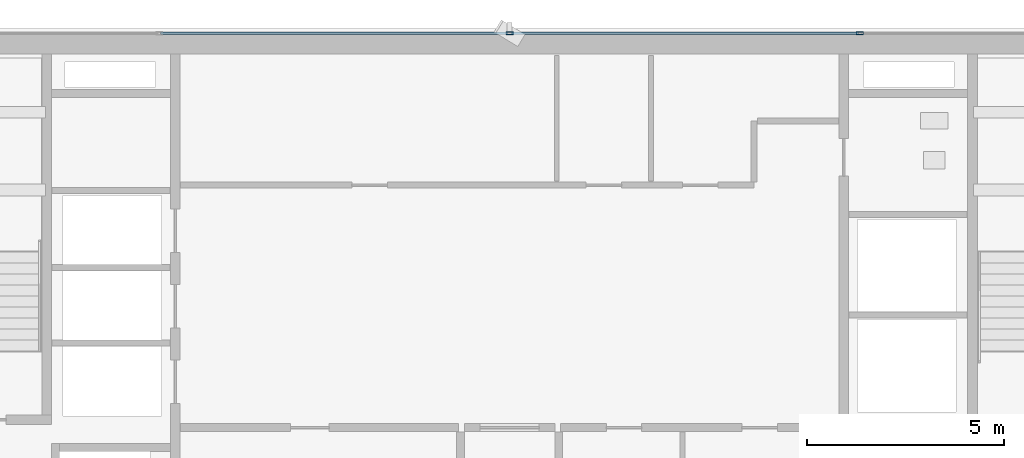
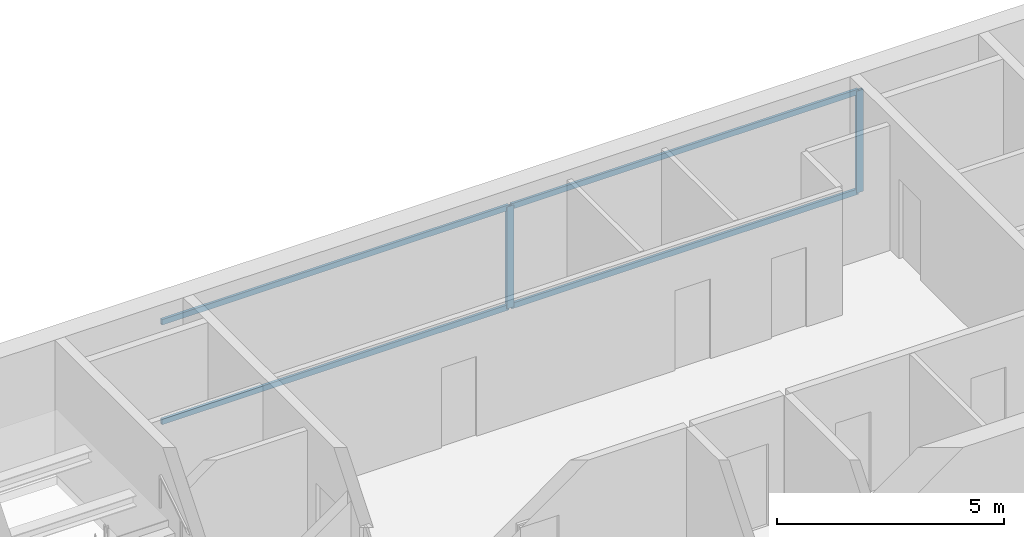
# One storey, part 12 of 20: 6 members, 1 element without a shape of its own.
"""IFC4 building model written with IfcOpenShell, lengths in metres."""

import ifcopenshell
import ifcopenshell.guid

model = None  # the IFC model being written
_history = None  # IfcOwnerHistory: only IFC2X3 demands one
_inside = {}  # id of a spatial element -> (the spatial element, [elements in it])
_under = {}  # id of a project, library or spatial element -> (it, [spatial elements below it])
_declared = {}  # id of a project -> (the project, [libraries it declares])
_typed = {}  # id of a type object -> (the type object, [elements of that type])
_made_of = {}  # id of a material, layer set ... -> (it, [elements and type objects made of it])


def new_model(schema):
    """Start an empty IFC model of exactly this schema.

    Asked for "IFC4X3", IfcOpenShell would pick the latest addendum, in which some entities
    have other attributes; the version numbers below select the first issue.
    IFC2X3 requires an IfcOwnerHistory on every rooted entity: one is made here for all.
    """
    global model, _history
    if schema == "IFC4X3":
        model = ifcopenshell.file(schema_version=(4, 3, 0, 0))
    else:
        model = ifcopenshell.file(schema=schema)
    _inside.clear()
    _under.clear()
    _declared.clear()
    _typed.clear()
    _made_of.clear()
    _history = None
    if model.schema == "IFC2X3":
        org = make("IfcOrganization", Name="unknown")
        user = make(
            "IfcPersonAndOrganization",
            ThePerson=make("IfcPerson", FamilyName="unknown"),
            TheOrganization=org,
        )
        app = make(
            "IfcApplication",
            ApplicationDeveloper=org,
            Version="unknown",
            ApplicationFullName="unknown",
            ApplicationIdentifier="unknown",
        )
        _history = make(
            "IfcOwnerHistory",
            OwningUser=user,
            OwningApplication=app,
            ChangeAction="ADDED",
            CreationDate=0,
        )
    return model


def make(cls, **values):
    """One entity of the class cls with the attributes given. An attribute that is None is left unset."""
    return model.create_entity(
        cls, **{name: value for name, value in values.items() if value is not None}
    )


def rooted(cls, **values):
    """An entity with a GlobalId (a new one), such as an element, a storey or a relation."""
    return make(cls, GlobalId=ifcopenshell.guid.new(), OwnerHistory=_history, **values)


def si_unit(unit_type, name, prefix=None):
    """IfcSIUnit, for example si_unit("LENGTHUNIT", "METRE", prefix="MILLI")."""
    return make("IfcSIUnit", UnitType=unit_type, Prefix=prefix, Name=name)


def assignment(units):
    """IfcUnitAssignment: the units of a project."""
    return None if units is None else make("IfcUnitAssignment", Units=units)


def point(xyz):
    """IfcCartesianPoint."""
    return None if xyz is None else make("IfcCartesianPoint", Coordinates=xyz)


def direction(xyz):
    """IfcDirection."""
    return None if xyz is None else make("IfcDirection", DirectionRatios=xyz)


def frame(location, z_axis=None, x_axis=None):
    """IfcAxis2Placement3D, a coordinate frame: its origin and axes. An axis left out is left unset."""
    return make(
        "IfcAxis2Placement3D",
        Location=point(location),
        Axis=direction(z_axis),
        RefDirection=direction(x_axis),
    )


def frame_2d(location, x_axis=None):
    """IfcAxis2Placement2D, a coordinate frame in the plane: its origin and x axis."""
    return make(
        "IfcAxis2Placement2D", Location=point(location), RefDirection=direction(x_axis)
    )


def origin():
    """The frame at (0, 0, 0) with its axes left unset."""
    return frame((0.0, 0.0, 0.0))


def origin_2d():
    """The frame at (0, 0) in the plane with its x axis left unset."""
    return frame_2d((0.0, 0.0))


def place(relative_to, where):
    """IfcLocalPlacement: puts the frame where relative to a parent placement (None: the world)."""
    return make(
        "IfcLocalPlacement", PlacementRelTo=relative_to, RelativePlacement=where
    )


def context(
    kind, dimensions, precision=None, world=None, true_north=None, identifier=None
):
    """IfcGeometricRepresentationContext, for example the 3D "Model" context."""
    return make(
        "IfcGeometricRepresentationContext",
        ContextIdentifier=identifier,
        ContextType=kind,
        CoordinateSpaceDimension=dimensions,
        Precision=precision,
        WorldCoordinateSystem=world,
        TrueNorth=true_north,
    )


def subcontext(parent, identifier, kind, view, scale=None):
    """IfcGeometricRepresentationSubContext, for example "Body" below "Model"."""
    return make(
        "IfcGeometricRepresentationSubContext",
        ContextIdentifier=identifier,
        ContextType=kind,
        ParentContext=parent,
        TargetScale=scale,
        TargetView=view,
    )


def project(units=None, contexts=None):
    """IfcProject with its units and contexts."""
    return rooted(
        "IfcProject",
        Name="project",
        RepresentationContexts=contexts,
        UnitsInContext=assignment(units),
    )


def spatial(cls, under=None, at=None, **own):
    """A site, building, storey or space (cls), placed at a placement, below another one or the project."""
    s = rooted(cls, ObjectPlacement=at, **own)
    if under is not None:
        _under.setdefault(under.id(), (under, []))[1].append(s)
    return s


def profile(cls, at=None, kind="AREA", **sizes):
    """A parametric profile (cls). Its sizes go by their IFC names, for example OverallWidth=200.0."""
    return make(cls, ProfileType=kind, Position=at, **sizes)


def hollow_rectangle(**sizes):
    """IfcRectangleHollowProfileDef."""
    return profile("IfcRectangleHollowProfileDef", **sizes)


def extrude(swept, where, along, depth):
    """IfcExtrudedAreaSolid: the profile swept, set in the frame where, extruded along a direction by depth."""
    return make(
        "IfcExtrudedAreaSolid",
        SweptArea=swept,
        Position=where,
        ExtrudedDirection=direction(along),
        Depth=depth,
    )


def shape(context_of_items, identifier, shape_type, items):
    """IfcShapeRepresentation: the items that make up one representation, for example the "Body"."""
    return make(
        "IfcShapeRepresentation",
        ContextOfItems=context_of_items,
        RepresentationIdentifier=identifier,
        RepresentationType=shape_type,
        Items=items,
    )


def source(mapping_origin, context_of_items, identifier, shape_type, items):
    """IfcRepresentationMap: a shape defined once, which mapped items show again and again."""
    return make(
        "IfcRepresentationMap",
        MappingOrigin=mapping_origin,
        MappedRepresentation=shape(context_of_items, identifier, shape_type, items),
    )


def transform(
    local_origin,
    x_axis=None,
    y_axis=None,
    z_axis=None,
    scale=None,
    scale2=None,
    scale3=None,
    uniform=True,
):
    """IfcCartesianTransformationOperator3D, or its non-uniform kind. x_axis, y_axis, z_axis: its Axis1, 2, 3."""
    if uniform:
        return make(
            "IfcCartesianTransformationOperator3D",
            Axis1=direction(x_axis),
            Axis2=direction(y_axis),
            LocalOrigin=point(local_origin),
            Scale=scale,
            Axis3=direction(z_axis),
        )
    return make(
        "IfcCartesianTransformationOperator3DnonUniform",
        Axis1=direction(x_axis),
        Axis2=direction(y_axis),
        LocalOrigin=point(local_origin),
        Scale=scale,
        Axis3=direction(z_axis),
        Scale2=scale2,
        Scale3=scale3,
    )


def mapped(mapping_source, mapping_target):
    """IfcMappedItem: shows the shape of a source again, moved by a transform."""
    return make(
        "IfcMappedItem", MappingSource=mapping_source, MappingTarget=mapping_target
    )


def material(Name=None, Category=None):
    """IfcMaterial."""
    return make("IfcMaterial", Name=Name, Category=Category)


def layer(
    of_material, thickness, ventilated=None, Name=None, Category=None, Priority=None
):
    """IfcMaterialLayer: one layer of a wall or slab, of a material (None: an air gap)."""
    return make(
        "IfcMaterialLayer",
        Material=of_material,
        LayerThickness=thickness,
        IsVentilated=ventilated,
        Name=Name,
        Category=Category,
        Priority=Priority,
    )


def layer_set(layers, Name=None):
    """IfcMaterialLayerSet."""
    return make("IfcMaterialLayerSet", MaterialLayers=layers, LayerSetName=Name)


def material_profile(
    of_material, cross_section, Name=None, Category=None, Priority=None
):
    """IfcMaterialProfile: a cross section and its material."""
    return make(
        "IfcMaterialProfile",
        Name=Name,
        Material=of_material,
        Profile=cross_section,
        Priority=Priority,
        Category=Category,
    )


def profile_set(profiles, Name=None, composite=None):
    """IfcMaterialProfileSet."""
    return make(
        "IfcMaterialProfileSet",
        Name=Name,
        MaterialProfiles=profiles,
        CompositeProfile=composite,
    )


def made_of(thing, what):
    """Note that an element or type object is made of a material, layer set ...; save() writes the relation."""
    if what is not None:
        _made_of.setdefault(what.id(), (what, []))[1].append(thing)
    return thing


def type_object(cls, material=None, **own):
    """A type object (cls), such as IfcWallType, which elements share."""
    return made_of(rooted(cls, **own), material)


def element(
    cls,
    number,
    at=None,
    inside=None,
    cuts=None,
    type_object=None,
    material=None,
    context=None,
    identifier="Body",
    shape_type=None,
    held_by="IfcProductDefinitionShape",
    body=None,
    shapes=None,
    **own,
):
    """One element of the class cls, such as IfcWall. Its Tag is "e" and its number.

    at: its placement. inside: the storey or other place that contains it. cuts: it is an
    opening in that element (IfcRelVoidsElement). A single representation is given by context,
    identifier, shape_type and body (its items); several are given by shapes. held_by: the class
    of the entity that holds the representations. save() writes the other relations.
    """
    e = rooted(cls, Tag="e%d" % number, ObjectPlacement=at, **own)
    if body is not None:
        shapes = [shape(context, identifier, shape_type, body)]
    if shapes is not None:
        e.Representation = make(held_by, Representations=shapes)
    if inside is not None:
        _inside.setdefault(inside.id(), (inside, []))[1].append(e)
    if cuts is not None:
        rooted(
            "IfcRelVoidsElement", RelatingBuildingElement=cuts, RelatedOpeningElement=e
        )
    if type_object is not None:
        _typed.setdefault(type_object.id(), (type_object, []))[1].append(e)
    return made_of(e, material)


def aggregate(whole, parts):
    """IfcRelAggregates: a whole, such as a stair, and the parts it consists of."""
    return rooted("IfcRelAggregates", RelatingObject=whole, RelatedObjects=parts)


def save(model, path):
    """Write the relations noted so far, then the file.

    IfcRelAggregates (storeys below a building ...), IfcRelContainedInSpatialStructure (elements
    in a storey), IfcRelDefinesByType, IfcRelAssociatesMaterial and IfcRelDeclares: one each for
    every whole, place, type object, material and project.
    """
    for whole, parts in _under.values():
        aggregate(whole, parts)
    for where, things in _inside.values():
        rooted(
            "IfcRelContainedInSpatialStructure",
            RelatedElements=things,
            RelatingStructure=where,
        )
    for kind, things in _typed.values():
        rooted("IfcRelDefinesByType", RelatedObjects=things, RelatingType=kind)
    for what, things in _made_of.values():
        rooted("IfcRelAssociatesMaterial", RelatedObjects=things, RelatingMaterial=what)
    for by, libraries in _declared.values():
        rooted("IfcRelDeclares", RelatingContext=by, RelatedDefinitions=libraries)
    model.write(path)


model = new_model("IFC4")

# Units and contexts
model_context = context("Model", 3, precision=1e-05, world=origin(), true_north=direction((0.0, 1.0)))
body_context = subcontext(model_context, "Body", "Model", "MODEL_VIEW")
ifc_project = project(units=[si_unit("LENGTHUNIT", "METRE"), si_unit("AREAUNIT", "SQUARE_METRE"), si_unit("VOLUMEUNIT", "CUBIC_METRE"), si_unit("PLANEANGLEUNIT", "RADIAN"), si_unit("MASSUNIT", "GRAM", prefix="KILO")], contexts=[model_context])

# Site, building, storey
site_placement = place(None, origin())
site = spatial("IfcSite", under=ifc_project, at=site_placement, CompositionType="ELEMENT")
building_placement = place(site_placement, origin())
building = spatial("IfcBuilding", under=site, at=building_placement, Name="Sumidabori Civic Tower", CompositionType="ELEMENT")
storey_placement = place(building_placement, frame((0.0, 0.0, 282.800048828125)))
storey = spatial("IfcBuildingStorey", under=building, at=storey_placement, Name="L74", CompositionType="ELEMENT", Elevation=282.800048828125)

# Curtain wall, members
ifc_material = material(Name="Anodised Bronze Aluminium AW-6063-T6", Category="aluminium")
ifc_layer = layer(ifc_material, 0.179931640625, Name="Anodised Bronze Aluminium AW-6063-T6")
ifc_layer_set = layer_set([ifc_layer], Name="Anodised Bronze Aluminium AW-6063-T6")
curtain_wall_type = type_object("IfcCurtainWallType", Name="CW-SYS-6", PredefinedType="NOTDEFINED", material=ifc_layer_set)
curtain_wall_placement = place(storey_placement, origin())
curtain_wall = element("IfcCurtainWall", 1, at=curtain_wall_placement, inside=storey, type_object=curtain_wall_type, Name="Curtain Wall CW:L74:R07", PredefinedType="NOTDEFINED")
ifc_material_profile_1 = material_profile(ifc_material, hollow_rectangle(XDim=0.070068359375, YDim=0.179931640625, WallThickness=0.006103515625, at=origin_2d()), Name="ALU MULLION 180x70")
ifc_profile_set_1 = profile_set([ifc_material_profile_1], Name="Anodised Bronze Aluminium AW-6063-T6")
member_type_1 = type_object("IfcMemberType", Name="CW-MUL-180", PredefinedType="MULLION", material=ifc_profile_set_1)
shared_shape_1 = source(origin(), body_context, "Body", "SweptSolid", [
    extrude(hollow_rectangle(XDim=0.070068359375, YDim=0.179931640625, WallThickness=0.006103515625, at=origin_2d()), origin(), (0.0, 0.0, 1.0), 2.75),
])
member_1_placement = place(storey_placement, frame((8.909912109375, 24.080078125, 0.0), z_axis=(0.0, 0.0, 1.0), x_axis=(0.0, -1.0, 0.0)))
member_1 = element("IfcMember", 2, at=member_1_placement, type_object=member_type_1, Name="CW-6 mullion 2", PredefinedType="MULLION", context=body_context, shape_type="MappedRepresentation", body=[
    mapped(shared_shape_1, transform((0.0, 0.0, 0.0), x_axis=(1.0, 0.0, 0.0), y_axis=(0.0, 1.0, 0.0), z_axis=(0.0, 0.0, 1.0), scale=1.0)),
])
member_2_placement = place(storey_placement, frame((0.0, 24.080078125, 0.0), z_axis=(0.0, 0.0, 1.0), x_axis=(0.0, -1.0, 0.0)))
member_2 = element("IfcMember", 3, at=member_2_placement, type_object=member_type_1, Name="CW-6 mullion 3", PredefinedType="MULLION", context=body_context, shape_type="MappedRepresentation", body=[
    mapped(shared_shape_1, transform((0.0, 0.0, 0.0), x_axis=(1.0, 0.0, 0.0), y_axis=(0.0, 1.0, 0.0), z_axis=(0.0, 0.0, 1.0), scale=1.0)),
])
ifc_material_profile_2 = material_profile(ifc_material, hollow_rectangle(XDim=0.06494140625, YDim=0.14990234375, WallThickness=0.0048828125, at=origin_2d()), Name="ALU TRANSOM 150x65")
ifc_profile_set_2 = profile_set([ifc_material_profile_2], Name="Anodised Bronze Aluminium AW-6063-T6")
member_type_2 = type_object("IfcMemberType", Name="CW-TRN-150", PredefinedType="USERDEFINED", material=ifc_profile_set_2)
shared_shape_2 = source(origin(), body_context, "Body", "SweptSolid", [
    extrude(hollow_rectangle(XDim=0.06494140625, YDim=0.14990234375, WallThickness=0.0048828125, at=origin_2d()), origin(), (0.0, 0.0, 1.0), 8.840087890625),
])
member_3_placement = place(storey_placement, frame((8.875, 24.080078125, 0.032470703125), z_axis=(-1.0, 0.0, 0.0), x_axis=(0.0, -1.0, 0.0)))
member_3 = element("IfcMember", 4, at=member_3_placement, type_object=member_type_2, Name="CW-6 transom 2.1", ObjectType="TRANSOM", PredefinedType="USERDEFINED", context=body_context, shape_type="MappedRepresentation", body=[
    mapped(shared_shape_2, transform((0.0, 0.0, 0.0), x_axis=(1.0, 0.0, 0.0), y_axis=(0.0, 1.0, 0.0), z_axis=(0.0, 0.0, 1.0), scale=1.0)),
])
member_4_placement = place(storey_placement, frame((8.875, 24.080078125, 2.717529296875), z_axis=(-1.0, 0.0, 0.0), x_axis=(0.0, -1.0, 0.0)))
member_4 = element("IfcMember", 5, at=member_4_placement, type_object=member_type_2, Name="CW-6 transom 2.2", ObjectType="TRANSOM", PredefinedType="USERDEFINED", context=body_context, shape_type="MappedRepresentation", body=[
    mapped(shared_shape_2, transform((0.0, 0.0, 0.0), x_axis=(1.0, 0.0, 0.0), y_axis=(0.0, 1.0, 0.0), z_axis=(0.0, 0.0, 1.0), scale=1.0)),
])
member_5_placement = place(storey_placement, frame((-0.034912109375, 24.080078125, 0.032470703125), z_axis=(-1.0, 0.0, 0.0), x_axis=(0.0, -1.0, 0.0)))
member_5 = element("IfcMember", 6, at=member_5_placement, type_object=member_type_2, Name="CW-6 transom 3.1", ObjectType="TRANSOM", PredefinedType="USERDEFINED", context=body_context, shape_type="MappedRepresentation", body=[
    mapped(shared_shape_2, transform((0.0, 0.0, 0.0), x_axis=(1.0, 0.0, 0.0), y_axis=(0.0, 1.0, 0.0), z_axis=(0.0, 0.0, 1.0), scale=1.0)),
])
member_6_placement = place(storey_placement, frame((-0.034912109375, 24.080078125, 2.717529296875), z_axis=(-1.0, 0.0, 0.0), x_axis=(0.0, -1.0, 0.0)))
member_6 = element("IfcMember", 7, at=member_6_placement, type_object=member_type_2, Name="CW-6 transom 3.2", ObjectType="TRANSOM", PredefinedType="USERDEFINED", context=body_context, shape_type="MappedRepresentation", body=[
    mapped(shared_shape_2, transform((0.0, 0.0, 0.0), x_axis=(1.0, 0.0, 0.0), y_axis=(0.0, 1.0, 0.0), z_axis=(0.0, 0.0, 1.0), scale=1.0)),
])
aggregate(curtain_wall, [member_1, member_2, member_3, member_4, member_5, member_6])

save(model, "model.ifc")
